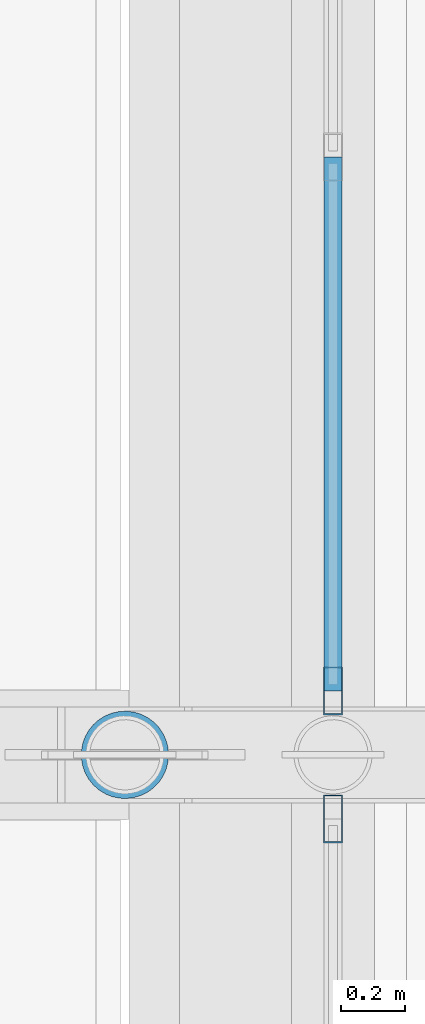
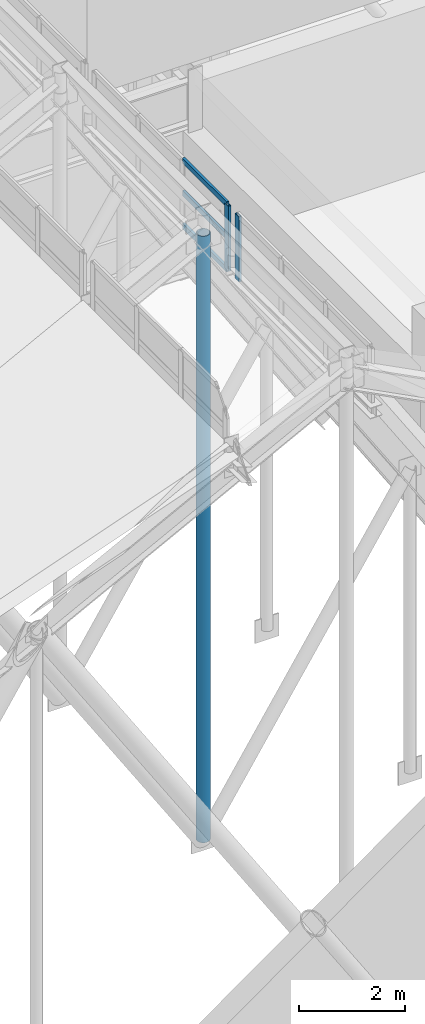
# One storey, part 14 of 84: 6 members, 2 elements without a shape of their own.
"""IFC4 building model written with IfcOpenShell, lengths in metres."""

from ifc_helpers import new_model, si_unit, direction, frame, origin, origin_2d, place, context, subcontext, project, spatial, hollow_rectangle, hollow_circle, extrude, material, layer, layer_set, material_profile, profile_set, type_object, element, aggregate, save


model = new_model("IFC4")

# Units and contexts
model_context = context("Model", 3, precision=1e-05, world=origin(), true_north=direction((0.0, 1.0)))
body_context = subcontext(model_context, "Body", "Model", "MODEL_VIEW")
ifc_project = project(units=[si_unit("LENGTHUNIT", "METRE"), si_unit("AREAUNIT", "SQUARE_METRE"), si_unit("VOLUMEUNIT", "CUBIC_METRE"), si_unit("PLANEANGLEUNIT", "RADIAN"), si_unit("MASSUNIT", "GRAM", prefix="KILO")], contexts=[model_context])

# Site, building, storey
site_placement = place(None, origin())
site = spatial("IfcSite", under=ifc_project, at=site_placement, CompositionType="ELEMENT")
building_placement = place(site_placement, origin())
building = spatial("IfcBuilding", under=site, at=building_placement, Name="Sundgate Opera House", CompositionType="ELEMENT")
storey_placement = place(building_placement, frame((0.0, 0.0, 30.60009765625)))
storey = spatial("IfcBuildingStorey", under=building, at=storey_placement, Name="L06", CompositionType="ELEMENT", Elevation=30.60009765625)

# Curtain wall, member
ifc_material_1 = material(Name="Anodized aluminium and low-iron glass", Category="aluminium")
ifc_layer = layer(ifc_material_1, 0.169921875)
ifc_layer_set = layer_set([ifc_layer], Name="Anodized aluminium and low-iron glass")
curtain_wall_type = type_object("IfcCurtainWallType", Name="CW-LANTERN-POLY", PredefinedType="NOTDEFINED", material=ifc_layer_set)
curtain_wall_1_placement = place(storey_placement, origin())
curtain_wall_1 = element("IfcCurtainWall", 1, at=curtain_wall_1_placement, inside=storey, type_object=curtain_wall_type, Name="L06 Curtain Wall CW172", PredefinedType="NOTDEFINED")
ifc_material_2 = material(Name="Anodized aluminium EN AW-6063", Category="aluminium")
ifc_material_profile_1 = material_profile(ifc_material_2, hollow_rectangle(XDim=0.06005859375, YDim=0.14990234375, WallThickness=0.00390625, at=origin_2d()), Name="CWM 150x60x4")
ifc_profile_set_1 = profile_set([ifc_material_profile_1], Name="Anodized aluminium EN AW-6063")
member_type_1 = type_object("IfcMemberType", Name="CWM-ALU-150x60", PredefinedType="MULLION", material=ifc_profile_set_1)
member_1_placement = place(storey_placement, frame((54.64990234375, 43.60009765625, 12.0), z_axis=(0.0, 0.0, 1.0), x_axis=(1.0, 0.0, 0.0)))
member_1 = element("IfcMember", 2, at=member_1_placement, type_object=member_type_1, Name="CW172 Mullion 4", PredefinedType="MULLION", context=body_context, shape_type="SweptSolid", body=[
    extrude(hollow_rectangle(XDim=0.06005859375, YDim=0.14990234375, WallThickness=0.00390625, at=origin_2d()), origin(), (0.0, 0.0, 1.0), 1.5),
])
aggregate(curtain_wall_1, [member_1])

# Curtain wall, members
curtain_wall_2_placement = place(storey_placement, origin())
curtain_wall_2 = element("IfcCurtainWall", 3, at=curtain_wall_2_placement, inside=storey, type_object=curtain_wall_type, Name="L06 Curtain Wall CW174", PredefinedType="NOTDEFINED")
member_2_placement = place(storey_placement, frame((54.64990234375, 44.0, 12.0), z_axis=(0.0, 0.0, 1.0), x_axis=(1.0, 0.0, 0.0)))
member_2 = element("IfcMember", 4, at=member_2_placement, type_object=member_type_1, Name="CW174 Mullion 1", PredefinedType="MULLION", context=body_context, shape_type="SweptSolid", body=[
    extrude(hollow_rectangle(XDim=0.06005859375, YDim=0.14990234375, WallThickness=0.00390625, at=origin_2d()), origin(), (0.0, 0.0, 1.0), 1.5),
])
ifc_material_3 = material(Name="Anodized aluminium EN AW-6063", Category="aluminium")
ifc_material_profile_2 = material_profile(ifc_material_3, hollow_rectangle(XDim=0.054931640625, YDim=0.1201171875, WallThickness=0.00390625, at=origin_2d()), Name="CWT 120x55x4")
ifc_profile_set_2 = profile_set([ifc_material_profile_2], Name="Anodized aluminium EN AW-6063")
member_type_2 = type_object("IfcMemberType", Name="CWT-ALU-120x55", PredefinedType="USERDEFINED", material=ifc_profile_set_2)
member_3_placement = place(storey_placement, frame((54.64990234375, 44.0, 12.0), z_axis=(0.0, 1.0, 0.0), x_axis=(-1.0, 0.0, 0.0)))
member_3 = element("IfcMember", 5, at=member_3_placement, type_object=member_type_2, Name="CW174 Transom 1", ObjectType="TRANSOM", PredefinedType="USERDEFINED", context=body_context, shape_type="SweptSolid", body=[
    extrude(hollow_rectangle(XDim=0.054931640625, YDim=0.1201171875, WallThickness=0.00390625, at=origin_2d()), origin(), (0.0, 0.0, 1.0), 1.666748046875),
])
member_4_placement = place(storey_placement, frame((54.64990234375, 44.0, 12.75), z_axis=(0.0, 1.0, 0.0), x_axis=(-1.0, 0.0, 0.0)))
member_4 = element("IfcMember", 6, at=member_4_placement, type_object=member_type_2, Name="CW174 Transom 2", ObjectType="TRANSOM", PredefinedType="USERDEFINED", context=body_context, shape_type="SweptSolid", body=[
    extrude(hollow_rectangle(XDim=0.054931640625, YDim=0.1201171875, WallThickness=0.00390625, at=origin_2d()), origin(), (0.0, 0.0, 1.0), 1.666748046875),
])
member_5_placement = place(storey_placement, frame((54.64990234375, 44.0, 13.5), z_axis=(0.0, 1.0, 0.0), x_axis=(-1.0, 0.0, 0.0)))
member_5 = element("IfcMember", 7, at=member_5_placement, type_object=member_type_2, Name="CW174 Transom 3", ObjectType="TRANSOM", PredefinedType="USERDEFINED", context=body_context, shape_type="SweptSolid", body=[
    extrude(hollow_rectangle(XDim=0.054931640625, YDim=0.1201171875, WallThickness=0.00390625, at=origin_2d()), origin(), (0.0, 0.0, 1.0), 1.666748046875),
])
aggregate(curtain_wall_2, [member_2, member_3, member_4, member_5])

# Member
ifc_material_4 = material(Name="Steel S355J2", Category="steel")
ifc_material_profile_3 = material_profile(ifc_material_4, hollow_circle(Radius=0.136474609375, WallThickness=0.01611328125, at=origin_2d()), Name="CHS 273.0x16.0")
ifc_profile_set_3 = profile_set([ifc_material_profile_3], Name="Steel S355J2")
member_type_3 = type_object("IfcMemberType", Name="MB-STRUT-CHS273", PredefinedType="STRUT", material=ifc_profile_set_3)
member_6_placement = place(storey_placement, frame((54.0, 43.800048828125, -0.760009765625), z_axis=(0.0, 0.0, 1.0), x_axis=(1.0, 0.0, 0.0)))
element("IfcMember", 8, at=member_6_placement, inside=storey, type_object=member_type_3, Name="L06 Auditorium Truss Vertical Post M0088", PredefinedType="STRUT", context=body_context, shape_type="SweptSolid", body=[
    extrude(hollow_circle(Radius=0.136474609375, WallThickness=0.01611328125, at=origin_2d()), origin(), (0.0, 0.0, 1.0), 13.9599609375),
])

save(model, "model.ifc")
